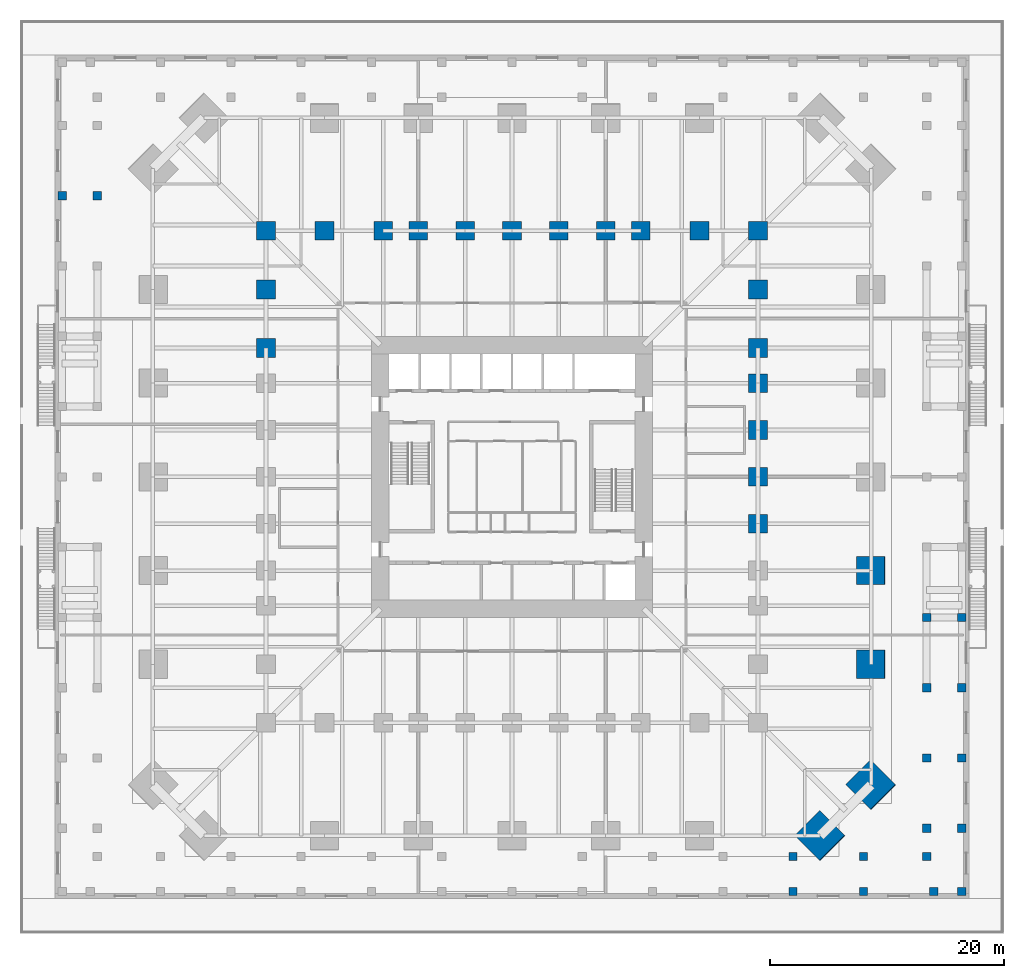
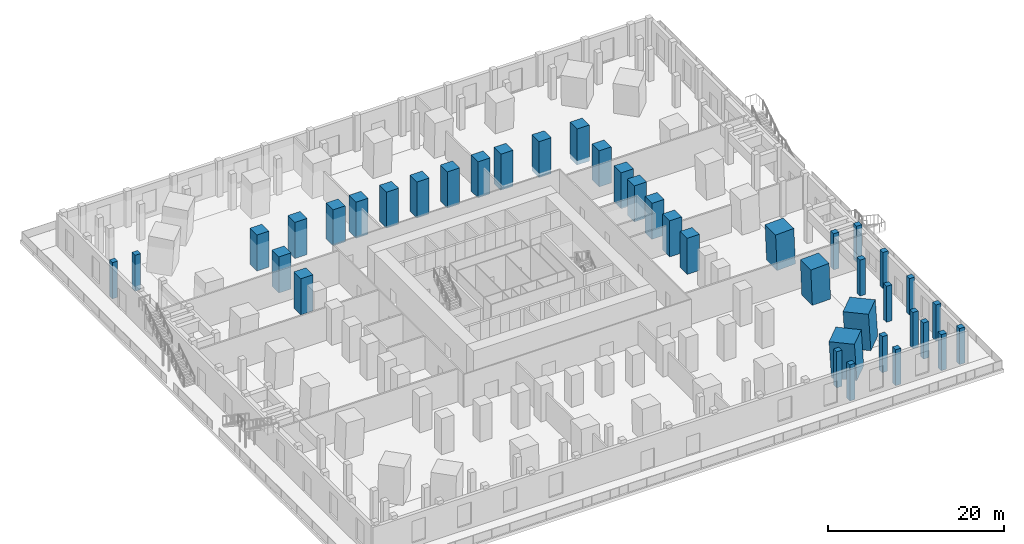
# One storey, part 5 of 22: 40 columns.
"""IFC4 building model written with IfcOpenShell, lengths in metres."""

import ifcopenshell
import ifcopenshell.guid

model = None  # the IFC model being written
_history = None  # IfcOwnerHistory: only IFC2X3 demands one
_inside = {}  # id of a spatial element -> (the spatial element, [elements in it])
_under = {}  # id of a project, library or spatial element -> (it, [spatial elements below it])
_declared = {}  # id of a project -> (the project, [libraries it declares])
_typed = {}  # id of a type object -> (the type object, [elements of that type])
_made_of = {}  # id of a material, layer set ... -> (it, [elements and type objects made of it])


def new_model(schema):
    """Start an empty IFC model of exactly this schema.

    Asked for "IFC4X3", IfcOpenShell would pick the latest addendum, in which some entities
    have other attributes; the version numbers below select the first issue.
    IFC2X3 requires an IfcOwnerHistory on every rooted entity: one is made here for all.
    """
    global model, _history
    if schema == "IFC4X3":
        model = ifcopenshell.file(schema_version=(4, 3, 0, 0))
    else:
        model = ifcopenshell.file(schema=schema)
    _inside.clear()
    _under.clear()
    _declared.clear()
    _typed.clear()
    _made_of.clear()
    _history = None
    if model.schema == "IFC2X3":
        org = make("IfcOrganization", Name="unknown")
        user = make(
            "IfcPersonAndOrganization",
            ThePerson=make("IfcPerson", FamilyName="unknown"),
            TheOrganization=org,
        )
        app = make(
            "IfcApplication",
            ApplicationDeveloper=org,
            Version="unknown",
            ApplicationFullName="unknown",
            ApplicationIdentifier="unknown",
        )
        _history = make(
            "IfcOwnerHistory",
            OwningUser=user,
            OwningApplication=app,
            ChangeAction="ADDED",
            CreationDate=0,
        )
    return model


def make(cls, **values):
    """One entity of the class cls with the attributes given. An attribute that is None is left unset."""
    return model.create_entity(
        cls, **{name: value for name, value in values.items() if value is not None}
    )


def rooted(cls, **values):
    """An entity with a GlobalId (a new one), such as an element, a storey or a relation."""
    return make(cls, GlobalId=ifcopenshell.guid.new(), OwnerHistory=_history, **values)


def si_unit(unit_type, name, prefix=None):
    """IfcSIUnit, for example si_unit("LENGTHUNIT", "METRE", prefix="MILLI")."""
    return make("IfcSIUnit", UnitType=unit_type, Prefix=prefix, Name=name)


def assignment(units):
    """IfcUnitAssignment: the units of a project."""
    return None if units is None else make("IfcUnitAssignment", Units=units)


def point(xyz):
    """IfcCartesianPoint."""
    return None if xyz is None else make("IfcCartesianPoint", Coordinates=xyz)


def direction(xyz):
    """IfcDirection."""
    return None if xyz is None else make("IfcDirection", DirectionRatios=xyz)


def frame(location, z_axis=None, x_axis=None):
    """IfcAxis2Placement3D, a coordinate frame: its origin and axes. An axis left out is left unset."""
    return make(
        "IfcAxis2Placement3D",
        Location=point(location),
        Axis=direction(z_axis),
        RefDirection=direction(x_axis),
    )


def frame_2d(location, x_axis=None):
    """IfcAxis2Placement2D, a coordinate frame in the plane: its origin and x axis."""
    return make(
        "IfcAxis2Placement2D", Location=point(location), RefDirection=direction(x_axis)
    )


def origin():
    """The frame at (0, 0, 0) with its axes left unset."""
    return frame((0.0, 0.0, 0.0))


def origin_2d():
    """The frame at (0, 0) in the plane with its x axis left unset."""
    return frame_2d((0.0, 0.0))


def place(relative_to, where):
    """IfcLocalPlacement: puts the frame where relative to a parent placement (None: the world)."""
    return make(
        "IfcLocalPlacement", PlacementRelTo=relative_to, RelativePlacement=where
    )


def context(
    kind, dimensions, precision=None, world=None, true_north=None, identifier=None
):
    """IfcGeometricRepresentationContext, for example the 3D "Model" context."""
    return make(
        "IfcGeometricRepresentationContext",
        ContextIdentifier=identifier,
        ContextType=kind,
        CoordinateSpaceDimension=dimensions,
        Precision=precision,
        WorldCoordinateSystem=world,
        TrueNorth=true_north,
    )


def subcontext(parent, identifier, kind, view, scale=None):
    """IfcGeometricRepresentationSubContext, for example "Body" below "Model"."""
    return make(
        "IfcGeometricRepresentationSubContext",
        ContextIdentifier=identifier,
        ContextType=kind,
        ParentContext=parent,
        TargetScale=scale,
        TargetView=view,
    )


def project(units=None, contexts=None):
    """IfcProject with its units and contexts."""
    return rooted(
        "IfcProject",
        Name="project",
        RepresentationContexts=contexts,
        UnitsInContext=assignment(units),
    )


def spatial(cls, under=None, at=None, **own):
    """A site, building, storey or space (cls), placed at a placement, below another one or the project."""
    s = rooted(cls, ObjectPlacement=at, **own)
    if under is not None:
        _under.setdefault(under.id(), (under, []))[1].append(s)
    return s


def profile(cls, at=None, kind="AREA", **sizes):
    """A parametric profile (cls). Its sizes go by their IFC names, for example OverallWidth=200.0."""
    return make(cls, ProfileType=kind, Position=at, **sizes)


def rectangle(**sizes):
    """IfcRectangleProfileDef."""
    return profile("IfcRectangleProfileDef", **sizes)


def extrude(swept, where, along, depth):
    """IfcExtrudedAreaSolid: the profile swept, set in the frame where, extruded along a direction by depth."""
    return make(
        "IfcExtrudedAreaSolid",
        SweptArea=swept,
        Position=where,
        ExtrudedDirection=direction(along),
        Depth=depth,
    )


def shape(context_of_items, identifier, shape_type, items):
    """IfcShapeRepresentation: the items that make up one representation, for example the "Body"."""
    return make(
        "IfcShapeRepresentation",
        ContextOfItems=context_of_items,
        RepresentationIdentifier=identifier,
        RepresentationType=shape_type,
        Items=items,
    )


def material(Name=None, Category=None):
    """IfcMaterial."""
    return make("IfcMaterial", Name=Name, Category=Category)


def material_profile(
    of_material, cross_section, Name=None, Category=None, Priority=None
):
    """IfcMaterialProfile: a cross section and its material."""
    return make(
        "IfcMaterialProfile",
        Name=Name,
        Material=of_material,
        Profile=cross_section,
        Priority=Priority,
        Category=Category,
    )


def profile_set(profiles, Name=None, composite=None):
    """IfcMaterialProfileSet."""
    return make(
        "IfcMaterialProfileSet",
        Name=Name,
        MaterialProfiles=profiles,
        CompositeProfile=composite,
    )


def made_of(thing, what):
    """Note that an element or type object is made of a material, layer set ...; save() writes the relation."""
    if what is not None:
        _made_of.setdefault(what.id(), (what, []))[1].append(thing)
    return thing


def type_object(cls, material=None, **own):
    """A type object (cls), such as IfcWallType, which elements share."""
    return made_of(rooted(cls, **own), material)


def element(
    cls,
    number,
    at=None,
    inside=None,
    cuts=None,
    type_object=None,
    material=None,
    context=None,
    identifier="Body",
    shape_type=None,
    held_by="IfcProductDefinitionShape",
    body=None,
    shapes=None,
    **own,
):
    """One element of the class cls, such as IfcWall. Its Tag is "e" and its number.

    at: its placement. inside: the storey or other place that contains it. cuts: it is an
    opening in that element (IfcRelVoidsElement). A single representation is given by context,
    identifier, shape_type and body (its items); several are given by shapes. held_by: the class
    of the entity that holds the representations. save() writes the other relations.
    """
    e = rooted(cls, Tag="e%d" % number, ObjectPlacement=at, **own)
    if body is not None:
        shapes = [shape(context, identifier, shape_type, body)]
    if shapes is not None:
        e.Representation = make(held_by, Representations=shapes)
    if inside is not None:
        _inside.setdefault(inside.id(), (inside, []))[1].append(e)
    if cuts is not None:
        rooted(
            "IfcRelVoidsElement", RelatingBuildingElement=cuts, RelatedOpeningElement=e
        )
    if type_object is not None:
        _typed.setdefault(type_object.id(), (type_object, []))[1].append(e)
    return made_of(e, material)


def aggregate(whole, parts):
    """IfcRelAggregates: a whole, such as a stair, and the parts it consists of."""
    return rooted("IfcRelAggregates", RelatingObject=whole, RelatedObjects=parts)


def save(model, path):
    """Write the relations noted so far, then the file.

    IfcRelAggregates (storeys below a building ...), IfcRelContainedInSpatialStructure (elements
    in a storey), IfcRelDefinesByType, IfcRelAssociatesMaterial and IfcRelDeclares: one each for
    every whole, place, type object, material and project.
    """
    for whole, parts in _under.values():
        aggregate(whole, parts)
    for where, things in _inside.values():
        rooted(
            "IfcRelContainedInSpatialStructure",
            RelatedElements=things,
            RelatingStructure=where,
        )
    for kind, things in _typed.values():
        rooted("IfcRelDefinesByType", RelatedObjects=things, RelatingType=kind)
    for what, things in _made_of.values():
        rooted("IfcRelAssociatesMaterial", RelatedObjects=things, RelatingMaterial=what)
    for by, libraries in _declared.values():
        rooted("IfcRelDeclares", RelatingContext=by, RelatedDefinitions=libraries)
    model.write(path)


model = new_model("IFC4")

# Units and contexts
model_context = context("Model", 3, precision=1e-05, world=origin(), true_north=direction((0.0, 1.0)))
body_context = subcontext(model_context, "Body", "Model", "MODEL_VIEW")
ifc_project = project(units=[si_unit("LENGTHUNIT", "METRE"), si_unit("AREAUNIT", "SQUARE_METRE"), si_unit("VOLUMEUNIT", "CUBIC_METRE"), si_unit("PLANEANGLEUNIT", "RADIAN"), si_unit("MASSUNIT", "GRAM", prefix="KILO")], contexts=[model_context])

# Site, building, storey
site_placement = place(None, origin())
site = spatial("IfcSite", under=ifc_project, at=site_placement, CompositionType="ELEMENT")
building_placement = place(site_placement, origin())
building = spatial("IfcBuilding", under=site, at=building_placement, Name="Peilmerk Tower", CompositionType="ELEMENT")
storey_placement = place(building_placement, frame((0.0, 0.0, 6.0)))
storey = spatial("IfcBuildingStorey", under=building, at=storey_placement, Name="L01", CompositionType="ELEMENT", Elevation=6.0)

# Columns
ifc_material_1 = material(Name="Concrete C90/105", Category="concrete")
ifc_material_profile_1 = material_profile(ifc_material_1, rectangle(XDim=3.0, YDim=3.0, at=origin_2d()), Name="RC 3000x3000")
ifc_profile_set_1 = profile_set([ifc_material_profile_1], Name="Concrete C90/105")
column_type_1 = type_object("IfcColumnType", Name="MC1 3000x3000 encased mega column", PredefinedType="COLUMN", material=ifc_profile_set_1)
for number, where, z_axis, x_axis, name in (
    (1, (30.65478515625, -26.304931640625, 0.0), (-0.040266583883, 0.040266583883, 0.998377285621), (-0.707106781187, -0.707106781187, 0.0), "Mega column MC1 SE_E L01"),
    (2, (26.304931640625, -30.65478515625, 0.0), (-0.040266583883, 0.040266583883, 0.998377285621), (-0.707106781187, -0.707106781187, 0.0), "Mega column MC1 SE_S L01"),
):
    element("IfcColumn", number, at=place(storey_placement, frame(where, z_axis=z_axis, x_axis=x_axis)), inside=storey, type_object=column_type_1, Name=name, PredefinedType="COLUMN", context=body_context, shape_type="SweptSolid", body=[
        extrude(rectangle(XDim=3.0, YDim=3.0, at=origin_2d()), origin(), (0.0, 0.0, 1.0), 5.008056640625),
    ])
ifc_material_2 = material(Name="Concrete C55/67", Category="concrete")
ifc_material_profile_2 = material_profile(ifc_material_2, rectangle(XDim=0.699951171875, YDim=0.699951171875, at=origin_2d()), Name="RC 700x700")
ifc_profile_set_2 = profile_set([ifc_material_profile_2], Name="Concrete C55/67")
column_type_2 = type_object("IfcColumnType", Name="PC1 700x700 podium column", PredefinedType="COLUMN", material=ifc_profile_set_2)
for number, where, z_axis, x_axis, name in (
    (3, (-35.39990234375, 24.0, 0.0), (0.0, 0.0, 1.0), (1.0, 0.0, 0.0), "Podium column ring A L01"),
    (4, (24.0, -32.39990234375, 0.0), (0.0, 0.0, 1.0), (1.0, 0.0, 0.0), "Podium column ring A L01"),
    (5, (30.0, -32.39990234375, 0.0), (0.0, 0.0, 1.0), (1.0, 0.0, 0.0), "Podium column ring A L01"),
    (6, (35.39990234375, -32.39990234375, 0.0), (0.0, 0.0, 1.0), (1.0, 0.0, 0.0), "Podium column ring A L01"),
    (7, (35.39990234375, -30.0, 0.0), (0.0, 0.0, 1.0), (1.0, 0.0, 0.0), "Podium column ring A L01"),
    (8, (35.39990234375, -24.0, 0.0), (0.0, 0.0, 1.0), (1.0, 0.0, 0.0), "Podium column ring A L01"),
    (9, (35.39990234375, -18.0, 0.0), (0.0, 0.0, 1.0), (1.0, 0.0, 0.0), "Podium column ring A L01"),
    (10, (35.39990234375, -12.0, 0.0), (0.0, 0.0, 1.0), (1.0, 0.0, 0.0), "Podium column ring A L01"),
    (11, (-38.39990234375, 24.0, 0.0), (0.0, 0.0, 1.0), (1.0, 0.0, 0.0), "Podium column ring B L01"),
    (12, (24.0, -35.39990234375, 0.0), (0.0, 0.0, 1.0), (1.0, 0.0, 0.0), "Podium column ring B L01"),
    (13, (30.0, -35.39990234375, 0.0), (0.0, 0.0, 1.0), (1.0, 0.0, 0.0), "Podium column ring B L01"),
    (14, (36.0, -35.39990234375, 0.0), (0.0, 0.0, 1.0), (1.0, 0.0, 0.0), "Podium column ring B L01"),
    (15, (38.39990234375, -35.39990234375, 0.0), (0.0, 0.0, 1.0), (1.0, 0.0, 0.0), "Podium column ring B L01"),
    (16, (38.39990234375, -30.0, 0.0), (0.0, 0.0, 1.0), (1.0, 0.0, 0.0), "Podium column ring B L01"),
    (17, (38.39990234375, -24.0, 0.0), (0.0, 0.0, 1.0), (1.0, 0.0, 0.0), "Podium column ring B L01"),
    (18, (38.39990234375, -18.0, 0.0), (0.0, 0.0, 1.0), (1.0, 0.0, 0.0), "Podium column ring B L01"),
    (19, (38.39990234375, -12.0, 0.0), (0.0, 0.0, 1.0), (1.0, 0.0, 0.0), "Podium column ring B L01"),
):
    element("IfcColumn", number, at=place(storey_placement, frame(where, z_axis=z_axis, x_axis=x_axis)), inside=storey, type_object=column_type_2, Name=name, PredefinedType="COLUMN", context=body_context, shape_type="SweptSolid", body=[
        extrude(rectangle(XDim=0.699951171875, YDim=0.699951171875, at=origin_2d()), origin(), (0.0, 0.0, 1.0), 5.0),
    ])
ifc_material_profile_3 = material_profile(ifc_material_1, rectangle(XDim=2.39990234375, YDim=2.39990234375, at=origin_2d()), Name="RC 2400x2400")
ifc_profile_set_3 = profile_set([ifc_material_profile_3], Name="Concrete C90/105")
column_type_3 = type_object("IfcColumnType", Name="SC1 2400x2400 encased perimeter column", PredefinedType="COLUMN", material=ifc_profile_set_3)
for number, where, z_axis, x_axis, name in (
    (20, (30.65478515625, -8.0, 0.0), (-0.040299267708, 0.0, 0.999187654559), (0.0, -1.0, 0.0), "Perimeter column E-8 L01"),
    (21, (30.65478515625, -16.0, 0.0), (-0.040299267708, 0.0, 0.999187654559), (0.0, -1.0, 0.0), "Perimeter column E-16 L01"),
):
    element("IfcColumn", number, at=place(storey_placement, frame(where, z_axis=z_axis, x_axis=x_axis)), inside=storey, type_object=column_type_3, Name=name, PredefinedType="COLUMN", context=body_context, shape_type="SweptSolid", body=[
        extrude(rectangle(XDim=2.39990234375, YDim=2.39990234375, at=origin_2d()), origin(), (0.0, 0.0, 1.0), 5.004150390625),
    ])
ifc_material_profile_4 = material_profile(ifc_material_1, rectangle(XDim=1.60009765625, YDim=1.60009765625, at=origin_2d()), Name="RC 1600x1600")
ifc_profile_set_4 = profile_set([ifc_material_profile_4], Name="Concrete C90/105")
column_type_4 = type_object("IfcColumnType", Name="SC2 1600x1600 encased interior column", PredefinedType="COLUMN", material=ifc_profile_set_4)
for number, where, z_axis, x_axis, name in (
    (22, (0.0, 21.0, 0.0), (0.0, 0.0, 1.0), (1.0, 0.0, 0.0), "Interior column N+0 L01"),
    (23, (4.0, 21.0, 0.0), (0.0, 0.0, 1.0), (1.0, 0.0, 0.0), "Interior column N-4 L01"),
    (24, (-4.0, 21.0, 0.0), (0.0, 0.0, 1.0), (1.0, 0.0, 0.0), "Interior column N+4 L01"),
    (25, (8.0, 21.0, 0.0), (0.0, 0.0, 1.0), (1.0, 0.0, 0.0), "Interior column N-8 L01"),
    (26, (-8.0, 21.0, 0.0), (0.0, 0.0, 1.0), (1.0, 0.0, 0.0), "Interior column N+8 L01"),
    (27, (11.0, 21.0, 0.0), (0.0, 0.0, 1.0), (1.0, 0.0, 0.0), "Interior column N-11 L01"),
    (28, (-11.0, 21.0, 0.0), (0.0, 0.0, 1.0), (1.0, 0.0, 0.0), "Interior column N+11 L01"),
    (29, (16.0, 21.0, 0.0), (0.0, 0.0, 1.0), (1.0, 0.0, 0.0), "Interior column N-16 L01"),
    (30, (-16.0, 21.0, 0.0), (0.0, 0.0, 1.0), (1.0, 0.0, 0.0), "Interior column N+16 L01"),
    (31, (21.0, 0.0, 0.0), (0.0, 0.0, 1.0), (1.0, 0.0, 0.0), "Interior column E+0 L01"),
    (32, (21.0, -4.0, 0.0), (0.0, 0.0, 1.0), (1.0, 0.0, 0.0), "Interior column E-4 L01"),
    (33, (21.0, 4.0, 0.0), (0.0, 0.0, 1.0), (1.0, 0.0, 0.0), "Interior column E+4 L01"),
    (34, (21.0, 8.0, 0.0), (0.0, 0.0, 1.0), (1.0, 0.0, 0.0), "Interior column E+8 L01"),
    (35, (21.0, 11.0, 0.0), (0.0, 0.0, 1.0), (1.0, 0.0, 0.0), "Interior column E+11 L01"),
    (36, (21.0, 16.0, 0.0), (0.0, 0.0, 1.0), (1.0, 0.0, 0.0), "Interior column E+16 L01"),
    (37, (-21.0, 11.0, 0.0), (0.0, 0.0, 1.0), (1.0, 0.0, 0.0), "Interior column W-11 L01"),
    (38, (-21.0, 16.0, 0.0), (0.0, 0.0, 1.0), (1.0, 0.0, 0.0), "Interior column W-16 L01"),
    (39, (21.0, 21.0, 0.0), (0.0, 0.0, 1.0), (1.0, 0.0, 0.0), "Interior column NE L01"),
    (40, (-21.0, 21.0, 0.0), (0.0, 0.0, 1.0), (1.0, 0.0, 0.0), "Interior column NW L01"),
):
    element("IfcColumn", number, at=place(storey_placement, frame(where, z_axis=z_axis, x_axis=x_axis)), inside=storey, type_object=column_type_4, Name=name, PredefinedType="COLUMN", context=body_context, shape_type="SweptSolid", body=[
        extrude(rectangle(XDim=1.60009765625, YDim=1.60009765625, at=origin_2d()), origin(), (0.0, 0.0, 1.0), 5.0),
    ])

save(model, "model.ifc")
